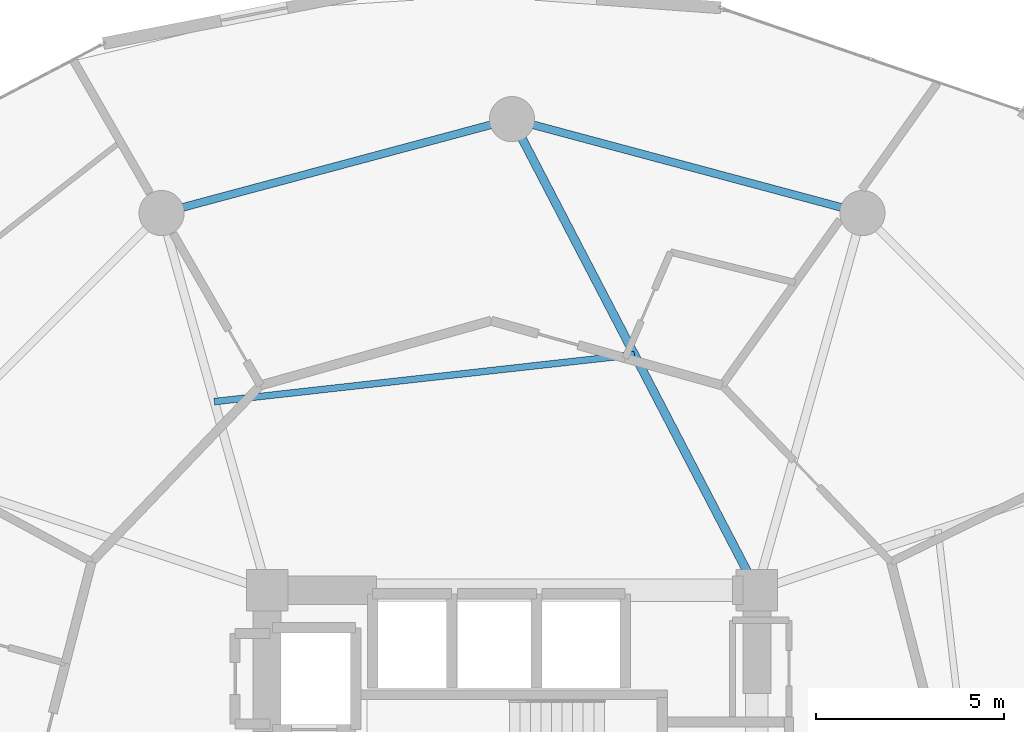
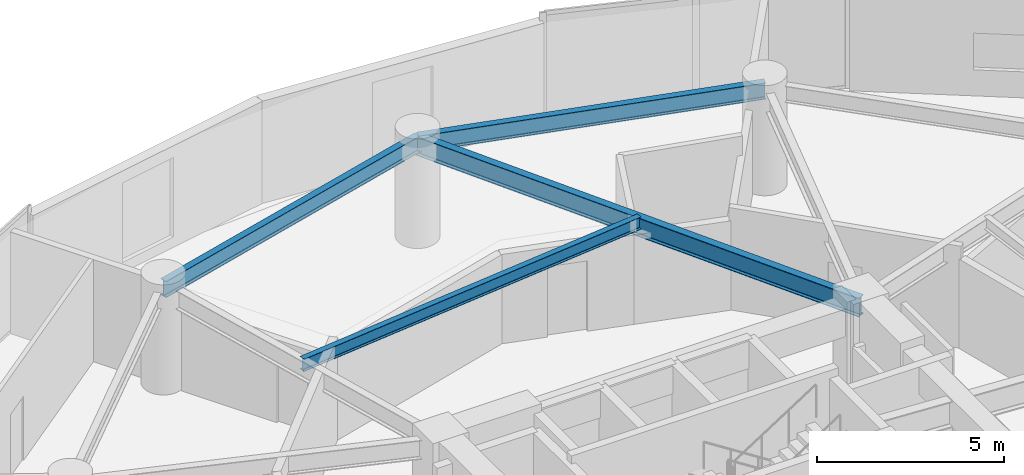
# One storey, part 12 of 20: 4 beams.
"""IFC4 building model written with IfcOpenShell, lengths in metres."""

import ifcopenshell
import ifcopenshell.guid

model = None  # the IFC model being written
_history = None  # IfcOwnerHistory: only IFC2X3 demands one
_inside = {}  # id of a spatial element -> (the spatial element, [elements in it])
_under = {}  # id of a project, library or spatial element -> (it, [spatial elements below it])
_declared = {}  # id of a project -> (the project, [libraries it declares])
_typed = {}  # id of a type object -> (the type object, [elements of that type])
_made_of = {}  # id of a material, layer set ... -> (it, [elements and type objects made of it])


def new_model(schema):
    """Start an empty IFC model of exactly this schema.

    Asked for "IFC4X3", IfcOpenShell would pick the latest addendum, in which some entities
    have other attributes; the version numbers below select the first issue.
    IFC2X3 requires an IfcOwnerHistory on every rooted entity: one is made here for all.
    """
    global model, _history
    if schema == "IFC4X3":
        model = ifcopenshell.file(schema_version=(4, 3, 0, 0))
    else:
        model = ifcopenshell.file(schema=schema)
    _inside.clear()
    _under.clear()
    _declared.clear()
    _typed.clear()
    _made_of.clear()
    _history = None
    if model.schema == "IFC2X3":
        org = make("IfcOrganization", Name="unknown")
        user = make(
            "IfcPersonAndOrganization",
            ThePerson=make("IfcPerson", FamilyName="unknown"),
            TheOrganization=org,
        )
        app = make(
            "IfcApplication",
            ApplicationDeveloper=org,
            Version="unknown",
            ApplicationFullName="unknown",
            ApplicationIdentifier="unknown",
        )
        _history = make(
            "IfcOwnerHistory",
            OwningUser=user,
            OwningApplication=app,
            ChangeAction="ADDED",
            CreationDate=0,
        )
    return model


def make(cls, **values):
    """One entity of the class cls with the attributes given. An attribute that is None is left unset."""
    return model.create_entity(
        cls, **{name: value for name, value in values.items() if value is not None}
    )


def rooted(cls, **values):
    """An entity with a GlobalId (a new one), such as an element, a storey or a relation."""
    return make(cls, GlobalId=ifcopenshell.guid.new(), OwnerHistory=_history, **values)


def si_unit(unit_type, name, prefix=None):
    """IfcSIUnit, for example si_unit("LENGTHUNIT", "METRE", prefix="MILLI")."""
    return make("IfcSIUnit", UnitType=unit_type, Prefix=prefix, Name=name)


def assignment(units):
    """IfcUnitAssignment: the units of a project."""
    return None if units is None else make("IfcUnitAssignment", Units=units)


def point(xyz):
    """IfcCartesianPoint."""
    return None if xyz is None else make("IfcCartesianPoint", Coordinates=xyz)


def direction(xyz):
    """IfcDirection."""
    return None if xyz is None else make("IfcDirection", DirectionRatios=xyz)


def frame(location, z_axis=None, x_axis=None):
    """IfcAxis2Placement3D, a coordinate frame: its origin and axes. An axis left out is left unset."""
    return make(
        "IfcAxis2Placement3D",
        Location=point(location),
        Axis=direction(z_axis),
        RefDirection=direction(x_axis),
    )


def frame_2d(location, x_axis=None):
    """IfcAxis2Placement2D, a coordinate frame in the plane: its origin and x axis."""
    return make(
        "IfcAxis2Placement2D", Location=point(location), RefDirection=direction(x_axis)
    )


def origin():
    """The frame at (0, 0, 0) with its axes left unset."""
    return frame((0.0, 0.0, 0.0))


def origin_2d():
    """The frame at (0, 0) in the plane with its x axis left unset."""
    return frame_2d((0.0, 0.0))


def place(relative_to, where):
    """IfcLocalPlacement: puts the frame where relative to a parent placement (None: the world)."""
    return make(
        "IfcLocalPlacement", PlacementRelTo=relative_to, RelativePlacement=where
    )


def context(
    kind, dimensions, precision=None, world=None, true_north=None, identifier=None
):
    """IfcGeometricRepresentationContext, for example the 3D "Model" context."""
    return make(
        "IfcGeometricRepresentationContext",
        ContextIdentifier=identifier,
        ContextType=kind,
        CoordinateSpaceDimension=dimensions,
        Precision=precision,
        WorldCoordinateSystem=world,
        TrueNorth=true_north,
    )


def subcontext(parent, identifier, kind, view, scale=None):
    """IfcGeometricRepresentationSubContext, for example "Body" below "Model"."""
    return make(
        "IfcGeometricRepresentationSubContext",
        ContextIdentifier=identifier,
        ContextType=kind,
        ParentContext=parent,
        TargetScale=scale,
        TargetView=view,
    )


def project(units=None, contexts=None):
    """IfcProject with its units and contexts."""
    return rooted(
        "IfcProject",
        Name="project",
        RepresentationContexts=contexts,
        UnitsInContext=assignment(units),
    )


def spatial(cls, under=None, at=None, **own):
    """A site, building, storey or space (cls), placed at a placement, below another one or the project."""
    s = rooted(cls, ObjectPlacement=at, **own)
    if under is not None:
        _under.setdefault(under.id(), (under, []))[1].append(s)
    return s


def profile(cls, at=None, kind="AREA", **sizes):
    """A parametric profile (cls). Its sizes go by their IFC names, for example OverallWidth=200.0."""
    return make(cls, ProfileType=kind, Position=at, **sizes)


def i_section(**sizes):
    """IfcIShapeProfileDef."""
    return profile("IfcIShapeProfileDef", **sizes)


def extrude(swept, where, along, depth):
    """IfcExtrudedAreaSolid: the profile swept, set in the frame where, extruded along a direction by depth."""
    return make(
        "IfcExtrudedAreaSolid",
        SweptArea=swept,
        Position=where,
        ExtrudedDirection=direction(along),
        Depth=depth,
    )


def shape(context_of_items, identifier, shape_type, items):
    """IfcShapeRepresentation: the items that make up one representation, for example the "Body"."""
    return make(
        "IfcShapeRepresentation",
        ContextOfItems=context_of_items,
        RepresentationIdentifier=identifier,
        RepresentationType=shape_type,
        Items=items,
    )


def material(Name=None, Category=None):
    """IfcMaterial."""
    return make("IfcMaterial", Name=Name, Category=Category)


def material_profile(
    of_material, cross_section, Name=None, Category=None, Priority=None
):
    """IfcMaterialProfile: a cross section and its material."""
    return make(
        "IfcMaterialProfile",
        Name=Name,
        Material=of_material,
        Profile=cross_section,
        Priority=Priority,
        Category=Category,
    )


def profile_set(profiles, Name=None, composite=None):
    """IfcMaterialProfileSet."""
    return make(
        "IfcMaterialProfileSet",
        Name=Name,
        MaterialProfiles=profiles,
        CompositeProfile=composite,
    )


def made_of(thing, what):
    """Note that an element or type object is made of a material, layer set ...; save() writes the relation."""
    if what is not None:
        _made_of.setdefault(what.id(), (what, []))[1].append(thing)
    return thing


def type_object(cls, material=None, **own):
    """A type object (cls), such as IfcWallType, which elements share."""
    return made_of(rooted(cls, **own), material)


def element(
    cls,
    number,
    at=None,
    inside=None,
    cuts=None,
    type_object=None,
    material=None,
    context=None,
    identifier="Body",
    shape_type=None,
    held_by="IfcProductDefinitionShape",
    body=None,
    shapes=None,
    **own,
):
    """One element of the class cls, such as IfcWall. Its Tag is "e" and its number.

    at: its placement. inside: the storey or other place that contains it. cuts: it is an
    opening in that element (IfcRelVoidsElement). A single representation is given by context,
    identifier, shape_type and body (its items); several are given by shapes. held_by: the class
    of the entity that holds the representations. save() writes the other relations.
    """
    e = rooted(cls, Tag="e%d" % number, ObjectPlacement=at, **own)
    if body is not None:
        shapes = [shape(context, identifier, shape_type, body)]
    if shapes is not None:
        e.Representation = make(held_by, Representations=shapes)
    if inside is not None:
        _inside.setdefault(inside.id(), (inside, []))[1].append(e)
    if cuts is not None:
        rooted(
            "IfcRelVoidsElement", RelatingBuildingElement=cuts, RelatedOpeningElement=e
        )
    if type_object is not None:
        _typed.setdefault(type_object.id(), (type_object, []))[1].append(e)
    return made_of(e, material)


def aggregate(whole, parts):
    """IfcRelAggregates: a whole, such as a stair, and the parts it consists of."""
    return rooted("IfcRelAggregates", RelatingObject=whole, RelatedObjects=parts)


def save(model, path):
    """Write the relations noted so far, then the file.

    IfcRelAggregates (storeys below a building ...), IfcRelContainedInSpatialStructure (elements
    in a storey), IfcRelDefinesByType, IfcRelAssociatesMaterial and IfcRelDeclares: one each for
    every whole, place, type object, material and project.
    """
    for whole, parts in _under.values():
        aggregate(whole, parts)
    for where, things in _inside.values():
        rooted(
            "IfcRelContainedInSpatialStructure",
            RelatedElements=things,
            RelatingStructure=where,
        )
    for kind, things in _typed.values():
        rooted("IfcRelDefinesByType", RelatedObjects=things, RelatingType=kind)
    for what, things in _made_of.values():
        rooted("IfcRelAssociatesMaterial", RelatedObjects=things, RelatingMaterial=what)
    for by, libraries in _declared.values():
        rooted("IfcRelDeclares", RelatingContext=by, RelatedDefinitions=libraries)
    model.write(path)


model = new_model("IFC4")

# Units and contexts
model_context = context("Model", 3, precision=1e-05, world=origin(), true_north=direction((0.0, 1.0)))
body_context = subcontext(model_context, "Body", "Model", "MODEL_VIEW")
ifc_project = project(units=[si_unit("LENGTHUNIT", "METRE"), si_unit("AREAUNIT", "SQUARE_METRE"), si_unit("VOLUMEUNIT", "CUBIC_METRE"), si_unit("PLANEANGLEUNIT", "RADIAN"), si_unit("MASSUNIT", "GRAM", prefix="KILO")], contexts=[model_context])

# Site, building, storey
site_placement = place(None, origin())
site = spatial("IfcSite", under=ifc_project, at=site_placement, CompositionType="ELEMENT")
building_placement = place(site_placement, origin())
building = spatial("IfcBuilding", under=site, at=building_placement, Name="Solvirekh Grand Hotel", CompositionType="ELEMENT")
storey_placement = place(building_placement, frame((0.0, 0.0, 50.0)))
storey = spatial("IfcBuildingStorey", under=building, at=storey_placement, Name="L11", CompositionType="ELEMENT", Elevation=50.0)

# Beams
ifc_material = material(Name="Steel S355", Category="steel")
ifc_material_profile_1 = material_profile(ifc_material, i_section(OverallWidth=0.22802734375, OverallDepth=0.616943359375, WebThickness=0.012939453125, FlangeThickness=0.02001953125, FilletRadius=0.014892578125, at=origin_2d()), Name="W610X140")
ifc_profile_set_1 = profile_set([ifc_material_profile_1], Name="Steel S355")
beam_type_1 = type_object("IfcBeamType", Name="Beam_Radial_W610", PredefinedType="BEAM", material=ifc_profile_set_1)
beam_1_placement = place(storey_placement, frame((6.5, 6.10009765625, 3.031982421875), z_axis=(-0.461352736642, 0.887216801235, 0.0), x_axis=(-0.887216801235, -0.461352736642, 0.0)))
element("IfcBeam", 1, at=beam_1_placement, inside=storey, type_object=beam_type_1, Name="L11 radial floor beam R04", PredefinedType="BEAM", context=body_context, shape_type="SweptSolid", body=[
    extrude(i_section(OverallWidth=0.22802734375, OverallDepth=0.616943359375, WebThickness=0.012939453125, FlangeThickness=0.02001953125, FilletRadius=0.014892578125, at=origin_2d()), origin(), (0.0, 0.0, 1.0), 14.089111328125),
])
ifc_material_profile_2 = material_profile(ifc_material, i_section(OverallWidth=0.177978515625, OverallDepth=0.406982421875, WebThickness=0.008056640625, FlangeThickness=0.011962890625, FilletRadius=0.011962890625, at=origin_2d()), Name="W410X60")
ifc_profile_set_2 = profile_set([ifc_material_profile_2], Name="Steel S355")
beam_type_2 = type_object("IfcBeamType", Name="Joist_Floor_W410", PredefinedType="JOIST", material=ifc_profile_set_2)
beam_2_placement = place(storey_placement, frame((3.25, 12.35009765625, 3.136962890625), z_axis=(-0.99381294191, -0.111066810937, 0.0), x_axis=(0.111066810937, -0.99381294191, 0.0)))
element("IfcBeam", 2, at=beam_2_placement, inside=storey, type_object=beam_type_2, Name="L11 secondary composite floor joist 4", PredefinedType="JOIST", context=body_context, shape_type="SweptSolid", body=[
    extrude(i_section(OverallWidth=0.177978515625, OverallDepth=0.406982421875, WebThickness=0.008056640625, FlangeThickness=0.011962890625, FilletRadius=0.011962890625, at=origin_2d()), origin(), (0.0, 0.0, 1.0), 11.21923828125),
])
ifc_material_profile_3 = material_profile(ifc_material, i_section(OverallWidth=0.208984375, OverallDepth=0.532958984375, WebThickness=0.010009765625, FlangeThickness=0.014892578125, FilletRadius=0.013916015625, at=origin_2d()), Name="W530X92")
ifc_profile_set_3 = profile_set([ifc_material_profile_3], Name="Steel S355")
beam_type_3 = type_object("IfcBeamType", Name="Spandrel_Ring_W530", PredefinedType="SPANDREL", material=ifc_profile_set_3)
for number, where, z_axis, x_axis, name in (
    (3, (9.300048828125, 16.10791015625, 3.073974609375), (-0.965919414426, 0.258842973314, 0.0), (-0.258842973314, -0.965919414426, 0.0), "L11 perimeter spandrel beam 3"),
    (4, (0.0, 18.60009765625, 3.073974609375), (-0.965919414426, -0.258842973314, 0.0), (0.258842973314, -0.965919414426, 0.0), "L11 perimeter spandrel beam 4"),
):
    element("IfcBeam", number, at=place(storey_placement, frame(where, z_axis=z_axis, x_axis=x_axis)), inside=storey, type_object=beam_type_3, Name=name, PredefinedType="SPANDREL", context=body_context, shape_type="SweptSolid", body=[
        extrude(i_section(OverallWidth=0.208984375, OverallDepth=0.532958984375, WebThickness=0.010009765625, FlangeThickness=0.014892578125, FilletRadius=0.013916015625, at=origin_2d()), origin(), (0.0, 0.0, 1.0), 9.628173828125),
    ])

save(model, "model.ifc")
